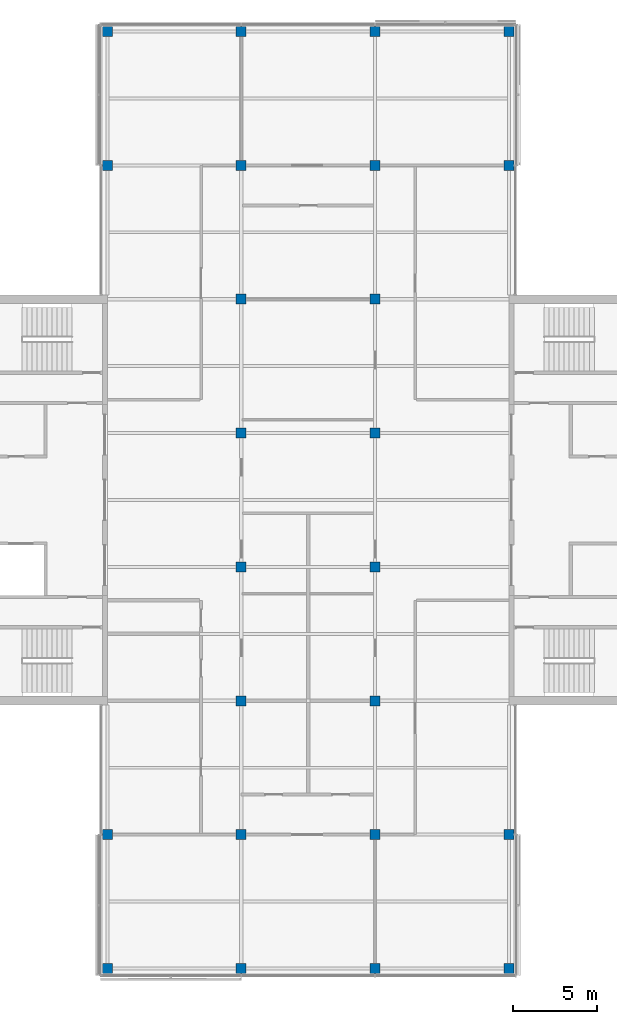
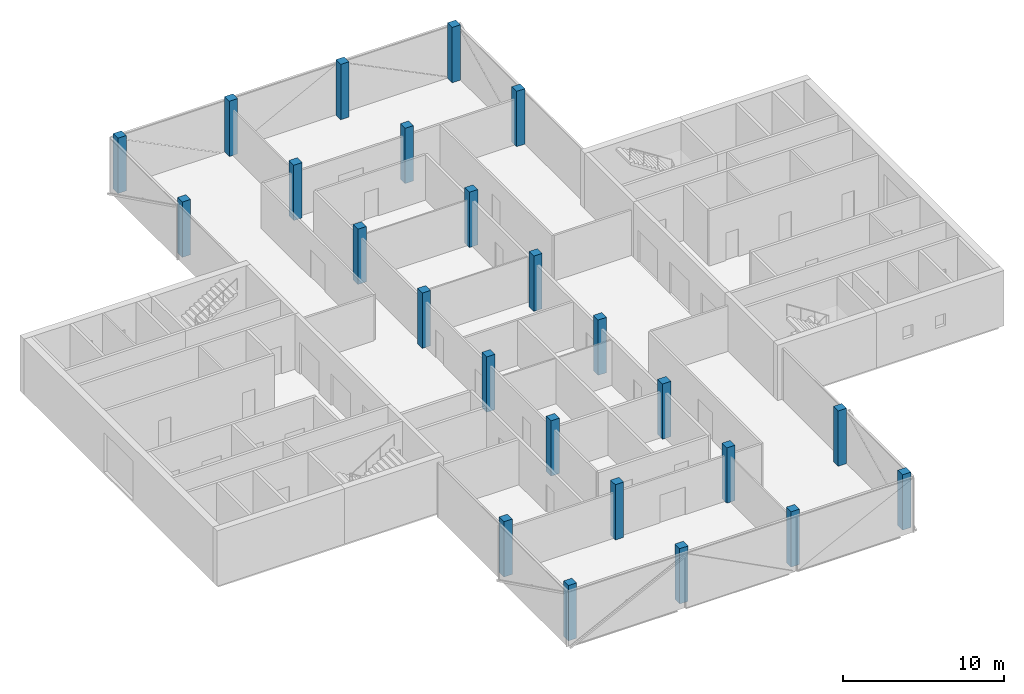
# One storey, part 1 of 15: 24 columns.
"""IFC4 building model written with IfcOpenShell, lengths in metres."""

from ifc_helpers import new_model, si_unit, direction, frame, origin, origin_2d, place, context, subcontext, project, spatial, rectangle, extrude, material, material_profile, profile_set, type_object, element, save


model = new_model("IFC4")

# Units and contexts
model_context = context("Model", 3, precision=1e-05, world=origin(), true_north=direction((0.0, 1.0)))
body_context = subcontext(model_context, "Body", "Model", "MODEL_VIEW")
ifc_project = project(units=[si_unit("LENGTHUNIT", "METRE"), si_unit("AREAUNIT", "SQUARE_METRE"), si_unit("VOLUMEUNIT", "CUBIC_METRE"), si_unit("PLANEANGLEUNIT", "RADIAN"), si_unit("MASSUNIT", "GRAM", prefix="KILO")], contexts=[model_context])

# Site, building, storey
site_placement = place(None, origin())
site = spatial("IfcSite", under=ifc_project, at=site_placement, CompositionType="ELEMENT")
building_placement = place(site_placement, origin())
building = spatial("IfcBuilding", under=site, at=building_placement, Name="Crosswind Convention Tower", CompositionType="ELEMENT")
storey_placement = place(building_placement, frame((0.0, 0.0, 319.699951171875)))
storey = spatial("IfcBuildingStorey", under=building, at=storey_placement, Name="L69", CompositionType="ELEMENT", Elevation=319.699951171875)

# Columns
ifc_material = material(Name="Concrete C60/75", Category="concrete")
ifc_material_profile = material_profile(ifc_material, rectangle(XDim=0.60009765625, YDim=0.60009765625, at=origin_2d()), Name="RC 600X600")
ifc_profile_set = profile_set([ifc_material_profile], Name="Concrete C60/75")
column_type = type_object("IfcColumnType", Name="Column RC 600X600", PredefinedType="COLUMN", material=ifc_profile_set)
for number, where, z_axis, x_axis, name in (
    (1, (113.0, 72.0, 0.0), (0.0, 0.0, 1.0), (1.0, 0.0, 0.0), "C16 L69 5/C"),
    (2, (113.0, 80.0, 0.0), (0.0, 0.0, 1.0), (1.0, 0.0, 0.0), "C16 L69 5/D"),
    (3, (113.0, 120.0, 0.0), (0.0, 0.0, 1.0), (1.0, 0.0, 0.0), "C16 L69 5/I"),
    (4, (113.0, 128.0, 0.0), (0.0, 0.0, 1.0), (1.0, 0.0, 0.0), "C16 L69 5/J"),
    (5, (121.0, 72.0, 0.0), (0.0, 0.0, 1.0), (1.0, 0.0, 0.0), "C16 L69 6/C"),
    (6, (121.0, 80.0, 0.0), (0.0, 0.0, 1.0), (1.0, 0.0, 0.0), "C16 L69 6/D"),
    (7, (121.0, 88.0, 0.0), (0.0, 0.0, 1.0), (1.0, 0.0, 0.0), "C16 L69 6/E"),
    (8, (121.0, 96.0, 0.0), (0.0, 0.0, 1.0), (1.0, 0.0, 0.0), "C16 L69 6/F"),
    (9, (121.0, 104.0, 0.0), (0.0, 0.0, 1.0), (1.0, 0.0, 0.0), "C16 L69 6/G"),
    (10, (121.0, 112.0, 0.0), (0.0, 0.0, 1.0), (1.0, 0.0, 0.0), "C16 L69 6/H"),
    (11, (121.0, 120.0, 0.0), (0.0, 0.0, 1.0), (1.0, 0.0, 0.0), "C16 L69 6/I"),
    (12, (121.0, 128.0, 0.0), (0.0, 0.0, 1.0), (1.0, 0.0, 0.0), "C16 L69 6/J"),
    (13, (129.0, 72.0, 0.0), (0.0, 0.0, 1.0), (1.0, 0.0, 0.0), "C16 L69 7/C"),
    (14, (129.0, 80.0, 0.0), (0.0, 0.0, 1.0), (1.0, 0.0, 0.0), "C16 L69 7/D"),
    (15, (129.0, 88.0, 0.0), (0.0, 0.0, 1.0), (1.0, 0.0, 0.0), "C16 L69 7/E"),
    (16, (129.0, 96.0, 0.0), (0.0, 0.0, 1.0), (1.0, 0.0, 0.0), "C16 L69 7/F"),
    (17, (129.0, 104.0, 0.0), (0.0, 0.0, 1.0), (1.0, 0.0, 0.0), "C16 L69 7/G"),
    (18, (129.0, 112.0, 0.0), (0.0, 0.0, 1.0), (1.0, 0.0, 0.0), "C16 L69 7/H"),
    (19, (129.0, 120.0, 0.0), (0.0, 0.0, 1.0), (1.0, 0.0, 0.0), "C16 L69 7/I"),
    (20, (129.0, 128.0, 0.0), (0.0, 0.0, 1.0), (1.0, 0.0, 0.0), "C16 L69 7/J"),
    (21, (137.0, 72.0, 0.0), (0.0, 0.0, 1.0), (1.0, 0.0, 0.0), "C16 L69 8/C"),
    (22, (137.0, 80.0, 0.0), (0.0, 0.0, 1.0), (1.0, 0.0, 0.0), "C16 L69 8/D"),
    (23, (137.0, 120.0, 0.0), (0.0, 0.0, 1.0), (1.0, 0.0, 0.0), "C16 L69 8/I"),
    (24, (137.0, 128.0, 0.0), (0.0, 0.0, 1.0), (1.0, 0.0, 0.0), "C16 L69 8/J"),
):
    element("IfcColumn", number, at=place(storey_placement, frame(where, z_axis=z_axis, x_axis=x_axis)), inside=storey, type_object=column_type, Name=name, PredefinedType="COLUMN", context=body_context, shape_type="SweptSolid", body=[
        extrude(rectangle(XDim=0.60009765625, YDim=0.60009765625, at=origin_2d()), origin(), (0.0, 0.0, 1.0), 4.199951171875),
    ])

save(model, "model.ifc")
